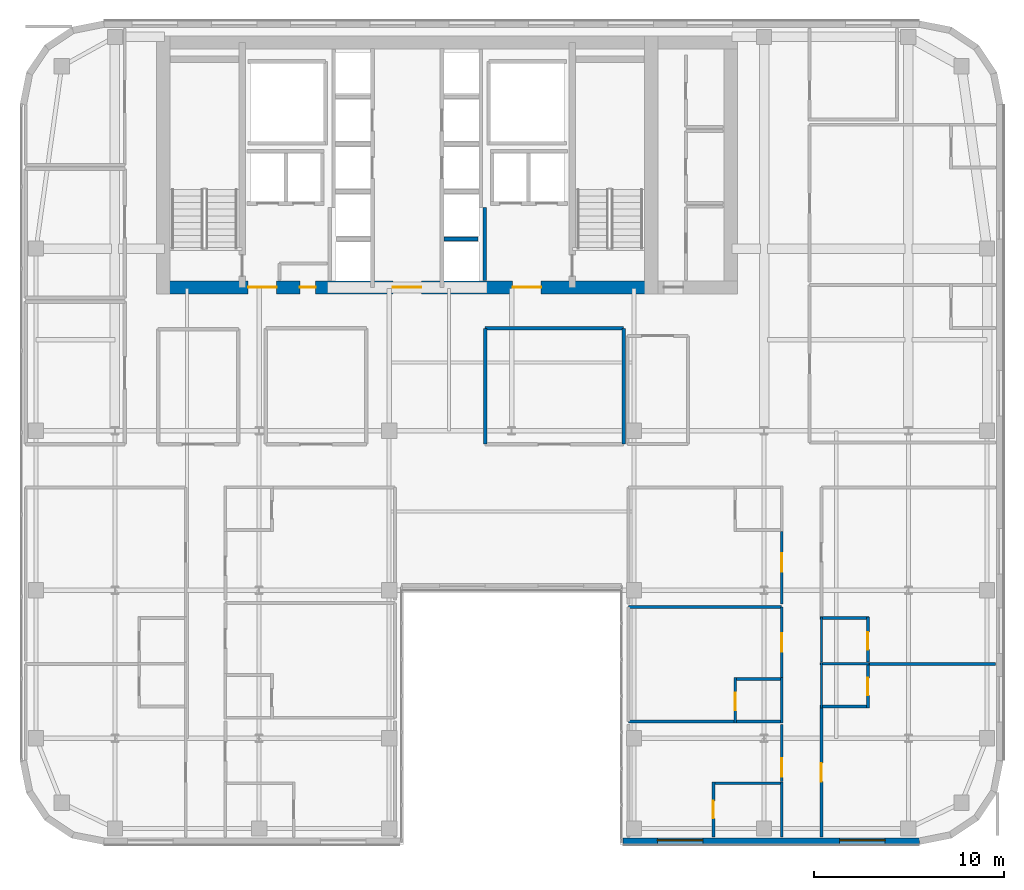
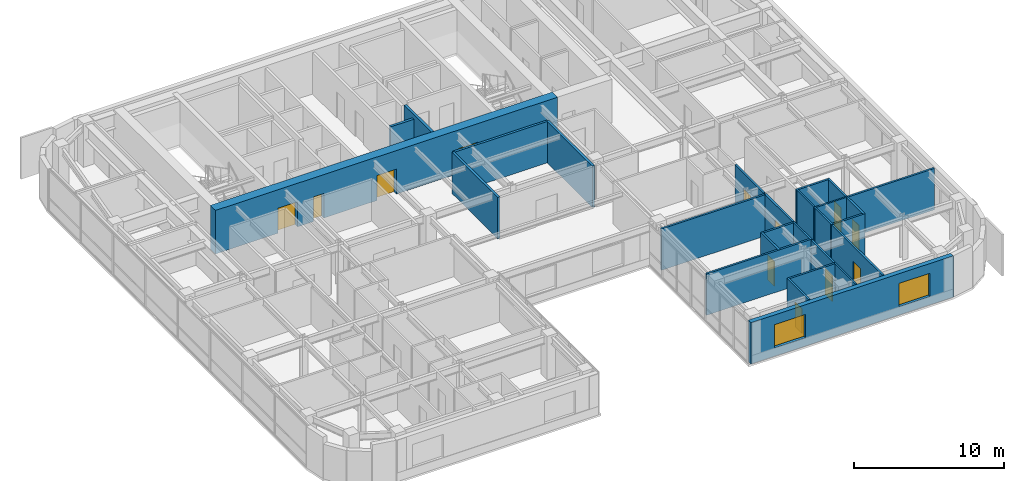
# One storey, part 19 of 28: 27 walls, 12 doors, 2 windows, 14 openings.
"""IFC4 building model written with IfcOpenShell, lengths in metres."""

from ifc_helpers import new_model, si_unit, direction, frame, frame_2d, origin, place, context, subcontext, project, spatial, rectangle, extrude, source, transform, mapped, material, layer, layer_set, type_object, type_shapes, element, fill, save


model = new_model("IFC4")

# Units and contexts
model_context = context("Model", 3, precision=1e-05, world=origin(), true_north=direction((0.0, 1.0)))
body_context = subcontext(model_context, "Body", "Model", "MODEL_VIEW")
ifc_project = project(units=[si_unit("LENGTHUNIT", "METRE"), si_unit("AREAUNIT", "SQUARE_METRE"), si_unit("VOLUMEUNIT", "CUBIC_METRE"), si_unit("PLANEANGLEUNIT", "RADIAN"), si_unit("MASSUNIT", "GRAM", prefix="KILO")], contexts=[model_context])

# Site, building, storey
site_placement = place(None, origin())
site = spatial("IfcSite", under=ifc_project, at=site_placement, CompositionType="ELEMENT")
building_placement = place(site_placement, origin())
building = spatial("IfcBuilding", under=site, at=building_placement, Name="Tolvann Quenvar Hotel", CompositionType="ELEMENT")
storey_placement = place(building_placement, frame((0.0, 0.0, 198.199951171875)))
storey = spatial("IfcBuildingStorey", under=building, at=storey_placement, Name="L52", CompositionType="ELEMENT", Elevation=198.199951171875)

# Wall, openings, doors
ifc_material_1 = material(Name="Concrete S65 (65 MPa)", Category="concrete")
ifc_layer_1 = layer(ifc_material_1, 0.699951171875)
ifc_layer_set_1 = layer_set([ifc_layer_1], Name="Concrete S65 (65 MPa)")
wall_type_1 = type_object("IfcWallType", Name="WALL_CORE_700", PredefinedType="SHEAR", material=ifc_layer_set_1)
wall_1_placement = place(storey_placement, frame((9.800048828125, 31.949951171875, 0.0), z_axis=(0.0, 0.0, 1.0), x_axis=(1.0, 0.0, 0.0)))
wall_1 = element("IfcWall", 1, at=wall_1_placement, inside=storey, type_object=wall_type_1, Name="Rear Core S Shear Wall (L52)", PredefinedType="SHEAR", context=body_context, shape_type="SweptSolid", body=[
    extrude(rectangle(XDim=26.39990234375, YDim=0.699951171875, at=frame_2d((13.199951171875, 0.0))), origin(), (0.0, 0.0, 1.0), 3.550048828125),
])
opening_1_placement = place(wall_1_placement, frame((6.320068359375, 0.0, 0.0), z_axis=(0.0, 0.0, 1.0), x_axis=(-1.0, 0.0, 0.0)))
opening_1 = element("IfcOpeningElement", 2, at=opening_1_placement, cuts=wall_1, Name="Opening FD-60D", PredefinedType="OPENING", context=body_context, shape_type="SweptSolid", body=[
    extrude(rectangle(XDim=1.5, YDim=2.0400390625, at=frame_2d((0.75, 1.02001953125))), frame((0.0, 0.35986328125, 0.0), z_axis=(0.0, -1.0, 0.0), x_axis=(1.0, 0.0, 0.0)), (0.0, 0.0, 1.0), 0.719970703125),
])
opening_2_placement = place(wall_1_placement, frame((13.949951171875, 0.0, 0.0), z_axis=(0.0, 0.0, 1.0), x_axis=(-1.0, 0.0, 0.0)))
opening_2 = element("IfcOpeningElement", 3, at=opening_2_placement, cuts=wall_1, Name="Opening FD-60D", PredefinedType="OPENING", context=body_context, shape_type="SweptSolid", body=[
    extrude(rectangle(XDim=1.5, YDim=2.0400390625, at=frame_2d((0.75, 1.02001953125))), frame((0.0, 0.35986328125, 0.0), z_axis=(0.0, -1.0, 0.0), x_axis=(1.0, 0.0, 0.0)), (0.0, 0.0, 1.0), 0.719970703125),
])
opening_3_placement = place(wall_1_placement, frame((20.25, 0.0, 0.0), z_axis=(0.0, 0.0, 1.0), x_axis=(-1.0, 0.0, 0.0)))
opening_3 = element("IfcOpeningElement", 4, at=opening_3_placement, cuts=wall_1, Name="Opening FD-60D", PredefinedType="OPENING", context=body_context, shape_type="SweptSolid", body=[
    extrude(rectangle(XDim=1.5, YDim=2.0400390625, at=frame_2d((0.75, 1.02001953125))), frame((0.0, 0.35986328125, 0.0), z_axis=(0.0, -1.0, 0.0), x_axis=(1.0, 0.0, 0.0)), (0.0, 0.0, 1.0), 0.719970703125),
])
opening_4_placement = place(wall_1_placement, frame((8.3701171875, 0.0, 0.0), z_axis=(0.0, 0.0, 1.0), x_axis=(-1.0, 0.0, 0.0)))
opening_4 = element("IfcOpeningElement", 5, at=opening_4_placement, cuts=wall_1, Name="Opening HD-02", PredefinedType="OPENING", context=body_context, shape_type="SweptSolid", body=[
    extrude(rectangle(XDim=0.820068359375, YDim=2.010009765625, at=frame_2d((0.41015625, 1.0048828125))), frame((0.0, 0.35986328125, 0.0), z_axis=(0.0, -1.0, 0.0), x_axis=(1.0, 0.0, 0.0)), (0.0, 0.0, 1.0), 0.719970703125),
])
ifc_material_2 = material(Name="Solid-core American oak acoustic fire door leaf in steel frame", Category="steel")
door_type_1 = type_object("IfcDoorType", Name="DOOR_FIRE_LOBBY_1500", OperationType="NOTDEFINED", PredefinedType="DOOR", material=ifc_material_2)
shared_shape_1 = source(origin(), body_context, "Body", "SweptSolid", [
    extrude(rectangle(XDim=1.5, YDim=2.0400390625, at=frame_2d((0.75, 1.02001953125))), frame((0.0, 0.02490234375, 0.0), z_axis=(0.0, -1.0, 0.0), x_axis=(1.0, 0.0, 0.0)), (0.0, 0.0, 1.0), 0.050048828125),
])
type_shapes(door_type_1, [shared_shape_1])
door_1_placement = place(opening_1_placement, origin())
door_1 = element("IfcDoor", 6, at=door_1_placement, inside=storey, type_object=door_type_1, Name="Core Lobby Fire Door FFW (L52)", OperationType="DOUBLE_DOOR_SINGLE_SWING", OverallHeight=2.0400390625, OverallWidth=1.5, PredefinedType="DOOR", context=body_context, shape_type="MappedRepresentation", body=[
    mapped(shared_shape_1, transform((0.0, 0.0, 0.0), x_axis=(1.0, 0.0, 0.0), y_axis=(0.0, 1.0, 0.0), z_axis=(0.0, 0.0, 1.0), scale=1.0)),
])
fill(opening_1, door_1)
door_2_placement = place(opening_2_placement, origin())
door_2 = element("IfcDoor", 7, at=door_2_placement, inside=storey, type_object=door_type_1, Name="Core Lobby Fire Door CLOB (L52)", OperationType="DOUBLE_DOOR_SINGLE_SWING", OverallHeight=2.0400390625, OverallWidth=1.5, PredefinedType="DOOR", context=body_context, shape_type="MappedRepresentation", body=[
    mapped(shared_shape_1, transform((0.0, 0.0, 0.0), x_axis=(1.0, 0.0, 0.0), y_axis=(0.0, 1.0, 0.0), z_axis=(0.0, 0.0, 1.0), scale=1.0)),
])
fill(opening_2, door_2)
door_3_placement = place(opening_3_placement, origin())
door_3 = element("IfcDoor", 8, at=door_3_placement, inside=storey, type_object=door_type_1, Name="Core Lobby Fire Door FFE (L52)", OperationType="DOUBLE_DOOR_SINGLE_SWING", OverallHeight=2.0400390625, OverallWidth=1.5, PredefinedType="DOOR", context=body_context, shape_type="MappedRepresentation", body=[
    mapped(shared_shape_1, transform((0.0, 0.0, 0.0), x_axis=(1.0, 0.0, 0.0), y_axis=(0.0, 1.0, 0.0), z_axis=(0.0, 0.0, 1.0), scale=1.0)),
])
fill(opening_3, door_3)
ifc_material_3 = material(Name="Pressed galvanised steel fire-rated door set", Category="steel")
door_type_2 = type_object("IfcDoorType", Name="DOOR_STORE_820", OperationType="NOTDEFINED", PredefinedType="DOOR", material=ifc_material_3)
shared_shape_2 = source(origin(), body_context, "Body", "SweptSolid", [
    extrude(rectangle(XDim=0.820068359375, YDim=2.010009765625, at=frame_2d((0.41015625, 1.0048828125))), frame((0.0, 0.02490234375, 0.0), z_axis=(0.0, -1.0, 0.0), x_axis=(1.0, 0.0, 0.0)), (0.0, 0.0, 1.0), 0.050048828125),
])
type_shapes(door_type_2, [shared_shape_2])
door_4_placement = place(opening_4_placement, origin())
door_4 = element("IfcDoor", 9, at=door_4_placement, inside=storey, type_object=door_type_2, Name="Core Linen Store Fire Door (L52)", OperationType="SINGLE_SWING_RIGHT", OverallHeight=2.010009765625, OverallWidth=0.820068359375, PredefinedType="DOOR", context=body_context, shape_type="MappedRepresentation", body=[
    mapped(shared_shape_2, transform((0.0, 0.0, 0.0), x_axis=(1.0, 0.0, 0.0), y_axis=(0.0, 1.0, 0.0), z_axis=(0.0, 0.0, 1.0), scale=1.0)),
])
fill(opening_4, door_4)

# Wall, openings, windows
ifc_material_4 = material(Name="Kiln-fired red and buff architectural clay brickwork and terracotta masonry", Category="masonry")
ifc_layer_2 = layer(ifc_material_4, 0.35009765625)
ifc_layer_set_2 = layer_set([ifc_layer_2], Name="Kiln-fired red and buff architectural clay brickwork and terracotta masonry")
wall_type_2 = type_object("IfcWallType", Name="WALL_EXT_BRICK_350", PredefinedType="SOLIDWALL", material=ifc_layer_set_2)
wall_2_placement = place(storey_placement, frame((34.375, 2.77490234375, 0.0), z_axis=(0.0, 0.0, 1.0), x_axis=(1.0, 0.0, 0.0)))
wall_2 = element("IfcWall", 10, at=wall_2_placement, inside=storey, type_object=wall_type_2, Name="Exterior Chicago Brick Wall L52-E08", PredefinedType="SOLIDWALL", context=body_context, shape_type="SweptSolid", body=[
    extrude(rectangle(XDim=15.60791015625, YDim=0.35009765625, at=frame_2d((7.803955078125, 0.0))), origin(), (0.0, 0.0, 1.0), 3.3701171875),
])
opening_5_placement = place(wall_2_placement, frame((1.801025390625, 0.0, 0.679931640625)))
opening_5 = element("IfcOpeningElement", 11, at=opening_5_placement, cuts=wall_2, Name="Opening W-01", PredefinedType="OPENING", context=body_context, shape_type="SweptSolid", body=[
    extrude(rectangle(XDim=2.39990234375, YDim=1.89990234375, at=frame_2d((1.199951171875, 0.949951171875))), frame((0.0, 0.18505859375, 0.0), z_axis=(0.0, -1.0, 0.0), x_axis=(1.0, 0.0, 0.0)), (0.0, 0.0, 1.0), 0.3701171875),
])
opening_6_placement = place(wall_2_placement, frame((11.406005859375, 0.0, 0.679931640625)))
opening_6 = element("IfcOpeningElement", 12, at=opening_6_placement, cuts=wall_2, Name="Opening W-01", PredefinedType="OPENING", context=body_context, shape_type="SweptSolid", body=[
    extrude(rectangle(XDim=2.39990234375, YDim=1.89990234375, at=frame_2d((1.199951171875, 0.949951171875))), frame((0.0, 0.18505859375, 0.0), z_axis=(0.0, -1.0, 0.0), x_axis=(1.0, 0.0, 0.0)), (0.0, 0.0, 1.0), 0.3701171875),
])
ifc_material_5 = material(Name="Thermally broken bronze-anodised aluminium frame with double low-E glazing", Category="aluminium")
window_type = type_object("IfcWindowType", Name="WIN_CHI_2400x2050", PartitioningType="TRIPLE_PANEL_HORIZONTAL", PredefinedType="WINDOW", material=ifc_material_5)
shared_shape_3 = source(origin(), body_context, "Body", "SweptSolid", [
    extrude(rectangle(XDim=2.39990234375, YDim=1.89990234375, at=frame_2d((1.199951171875, 0.949951171875))), frame((0.0, 0.090087890625, 0.0), z_axis=(0.0, -1.0, 0.0), x_axis=(1.0, 0.0, 0.0)), (0.0, 0.0, 1.0), 0.06005859375),
])
type_shapes(window_type, [shared_shape_3])
window_1_placement = place(opening_5_placement, origin())
window_1 = element("IfcWindow", 13, at=window_1_placement, inside=storey, type_object=window_type, Name="Chicago Window W-01 (EW-L52-E08-W01)", OverallHeight=1.89990234375, OverallWidth=2.39990234375, PartitioningType="TRIPLE_PANEL_HORIZONTAL", PredefinedType="WINDOW", context=body_context, shape_type="MappedRepresentation", body=[
    mapped(shared_shape_3, transform((0.0, 0.0, 0.0), x_axis=(1.0, 0.0, 0.0), y_axis=(0.0, 1.0, 0.0), z_axis=(0.0, 0.0, 1.0), scale=1.0)),
])
fill(opening_5, window_1)
window_2_placement = place(opening_6_placement, origin())
window_2 = element("IfcWindow", 14, at=window_2_placement, inside=storey, type_object=window_type, Name="Chicago Window W-01 (EW-L52-E08-W02)", OverallHeight=1.89990234375, OverallWidth=2.39990234375, PartitioningType="TRIPLE_PANEL_HORIZONTAL", PredefinedType="WINDOW", context=body_context, shape_type="MappedRepresentation", body=[
    mapped(shared_shape_3, transform((0.0, 0.0, 0.0), x_axis=(1.0, 0.0, 0.0), y_axis=(0.0, 1.0, 0.0), z_axis=(0.0, 0.0, 1.0), scale=1.0)),
])
fill(opening_6, window_2)

# Walls
ifc_material_6 = material(Name="Acoustic twin-stud fire-rated gypsum plasterboard partition")
ifc_layer_3 = layer(ifc_material_6, 0.179931640625)
ifc_layer_set_3 = layer_set([ifc_layer_3], Name="Acoustic twin-stud fire-rated gypsum plasterboard partition")
wall_type_3 = type_object("IfcWallType", Name="WALL_PART_ACOUSTIC_180", PredefinedType="PARTITIONING", material=ifc_layer_set_3)
wall_3_placement = place(storey_placement, frame((27.10009765625, 29.800048828125, 0.0), z_axis=(0.0, 0.0, 1.0), x_axis=(1.0, 0.0, 0.0)))
element("IfcWall", 15, at=wall_3_placement, inside=storey, type_object=wall_type_3, Name="Interior Partition PT-SPC-L52-MSP-C-N", PredefinedType="PARTITIONING", context=body_context, shape_type="SweptSolid", body=[
    extrude(rectangle(XDim=7.2998046875, YDim=0.179931640625, at=frame_2d((3.64990234375, 0.0))), origin(), (0.0, 0.0, 1.0), 3.3701171875),
])
for number, where, z_axis, x_axis, name in (
    (16, (27.10009765625, 23.699951171875, 0.0), (0.0, 0.0, 1.0), (0.0, 1.0, 0.0), "Interior Partition PT-SPC-L52-MSP-C-W"),
    (17, (34.39990234375, 23.699951171875, 0.0), (0.0, 0.0, 1.0), (0.0, 1.0, 0.0), "Interior Partition PT-SPC-L52-MSP-C-E"),
):
    element("IfcWall", number, at=place(storey_placement, frame(where, z_axis=z_axis, x_axis=x_axis)), inside=storey, type_object=wall_type_3, Name=name, PredefinedType="PARTITIONING", context=body_context, shape_type="SweptSolid", body=[
        extrude(rectangle(XDim=6.10009765625, YDim=0.179931640625, at=frame_2d((3.050048828125, 0.0))), origin(), (0.0, 0.0, 1.0), 3.3701171875),
    ])
ifc_material_7 = material(Name="Moisture-resistant acoustic plumbing wall assembly")
ifc_layer_4 = layer(ifc_material_7, 0.1201171875)
ifc_layer_set_4 = layer_set([ifc_layer_4], Name="Moisture-resistant acoustic plumbing wall assembly")
wall_type_4 = type_object("IfcWallType", Name="WALL_PART_BATH_120", PredefinedType="PLUMBINGWALL", material=ifc_layer_set_4)
wall_4_placement = place(storey_placement, frame((42.72998046875, 3.0048828125, 0.0), z_axis=(0.0, 0.0, 1.0), x_axis=(0.0, 1.0, 0.0)))
element("IfcWall", 18, at=wall_4_placement, inside=storey, type_object=wall_type_4, Name="Non-Rated Plumbing Partition PT-SPC-L52-ENS-EI01-E", PredefinedType="PLUMBINGWALL", context=body_context, shape_type="SweptSolid", body=[
    extrude(rectangle(XDim=2.89501953125, YDim=0.1201171875, at=frame_2d((1.447509765625, 0.0))), origin(), (0.0, 0.0, 1.0), 3.3701171875),
])
wall_5_placement = place(storey_placement, frame((42.72998046875, 9.010009765625, 0.0), z_axis=(0.0, 0.0, 1.0), x_axis=(0.0, 1.0, 0.0)))
element("IfcWall", 19, at=wall_5_placement, inside=storey, type_object=wall_type_4, Name="Non-Rated Plumbing Partition PT-SPC-L52-ENS-EI02-E", PredefinedType="PLUMBINGWALL", context=body_context, shape_type="SweptSolid", body=[
    extrude(rectangle(XDim=2.389892578125, YDim=0.1201171875, at=frame_2d((1.19482421875, 0.0))), origin(), (0.0, 0.0, 1.0), 3.3701171875),
])
wall_6_placement = place(storey_placement, frame((44.75, 12.1201171875, 0.0), z_axis=(0.0, 0.0, 1.0), x_axis=(1.0, 0.0, 0.0)))
element("IfcWall", 20, at=wall_6_placement, inside=storey, type_object=wall_type_4, Name="Non-Rated Plumbing Partition PT-SPC-L52-ENS-EO01-N", PredefinedType="PLUMBINGWALL", context=body_context, shape_type="SweptSolid", body=[
    extrude(rectangle(XDim=2.590087890625, YDim=0.1201171875, at=frame_2d((1.294921875, 0.0))), origin(), (0.0, 0.0, 1.0), 3.3701171875),
])
wall_7_placement = place(storey_placement, frame((44.820068359375, 9.800048828125, 0.0), z_axis=(0.0, 0.0, 1.0), x_axis=(0.0, 1.0, 0.0)))
element("IfcWall", 21, at=wall_7_placement, inside=storey, type_object=wall_type_4, Name="Non-Rated Plumbing Partition PT-SPC-L52-ENS-EO01-W", PredefinedType="PLUMBINGWALL", context=body_context, shape_type="SweptSolid", body=[
    extrude(rectangle(XDim=2.389892578125, YDim=0.1201171875, at=frame_2d((1.19482421875, 0.0))), origin(), (0.0, 0.0, 1.0), 3.3701171875),
])
wall_8_placement = place(storey_placement, frame((44.820068359375, 12.2099609375, 0.0), z_axis=(0.0, 0.0, 1.0), x_axis=(0.0, 1.0, 0.0)))
element("IfcWall", 22, at=wall_8_placement, inside=storey, type_object=wall_type_4, Name="Non-Rated Plumbing Partition PT-SPC-L52-ENS-EO02-W", PredefinedType="PLUMBINGWALL", context=body_context, shape_type="SweptSolid", body=[
    extrude(rectangle(XDim=2.39013671875, YDim=0.1201171875, at=frame_2d((1.195068359375, 0.0))), origin(), (0.0, 0.0, 1.0), 3.3701171875),
])

# Wall, opening, door
ifc_layer_5 = layer(ifc_material_6, 0.14990234375)
ifc_layer_set_5 = layer_set([ifc_layer_5], Name="Acoustic twin-stud fire-rated gypsum plasterboard partition")
wall_type_5 = type_object("IfcWallType", Name="WALL_PART_SUITE_150", PredefinedType="PARTITIONING", material=ifc_layer_set_5)
wall_9_placement = place(storey_placement, frame((39.1298828125, 3.0048828125, 0.0), z_axis=(0.0, 0.0, 1.0), x_axis=(0.0, 1.0, 0.0)))
wall_9 = element("IfcWall", 23, at=wall_9_placement, inside=storey, type_object=wall_type_5, Name="Interior Partition PT-SPC-L52-ENS-EI01-ENT", PredefinedType="PARTITIONING", context=body_context, shape_type="SweptSolid", body=[
    extrude(rectangle(XDim=2.89501953125, YDim=0.14990234375, at=frame_2d((1.447509765625, 0.0))), origin(), (0.0, 0.0, 1.0), 3.3701171875),
])
opening_7_placement = place(wall_9_placement, frame((0.97998046875, 0.0, 0.0)))
opening_7 = element("IfcOpeningElement", 24, at=opening_7_placement, cuts=wall_9, Name="Opening WD-01", PredefinedType="OPENING", context=body_context, shape_type="SweptSolid", body=[
    extrude(rectangle(XDim=0.919921875, YDim=2.010009765625, at=frame_2d((0.4599609375, 1.0048828125))), frame((0.0, 0.0849609375, 0.0), z_axis=(0.0, -1.0, 0.0), x_axis=(1.0, 0.0, 0.0)), (0.0, 0.0, 1.0), 0.169921875),
])
door_type_3 = type_object("IfcDoorType", Name="DOOR_WC_920", OperationType="NOTDEFINED", PredefinedType="DOOR", material=ifc_material_2)
shared_shape_4 = source(origin(), body_context, "Body", "SweptSolid", [
    extrude(rectangle(XDim=0.919921875, YDim=2.010009765625, at=frame_2d((0.4599609375, 1.0048828125))), frame((0.0, 0.02490234375, 0.0), z_axis=(0.0, -1.0, 0.0), x_axis=(1.0, 0.0, 0.0)), (0.0, 0.0, 1.0), 0.050048828125),
])
type_shapes(door_type_3, [shared_shape_4])
door_5_placement = place(opening_7_placement, origin())
door_5 = element("IfcDoor", 25, at=door_5_placement, inside=storey, type_object=door_type_3, Name="Interior Door DOOR-SPC-L52-ENS-EI01", OperationType="SINGLE_SWING_RIGHT", OverallHeight=2.010009765625, OverallWidth=0.919921875, PredefinedType="DOOR", context=body_context, shape_type="MappedRepresentation", body=[
    mapped(shared_shape_4, transform((0.0, 0.0, 0.0), x_axis=(1.0, 0.0, 0.0), y_axis=(0.0, 1.0, 0.0), z_axis=(0.0, 0.0, 1.0), scale=1.0)),
])
fill(opening_7, door_5)

# Wall
wall_10_placement = place(storey_placement, frame((39.06005859375, 5.830078125, 0.0), z_axis=(0.0, 0.0, 1.0), x_axis=(1.0, 0.0, 0.0)))
element("IfcWall", 26, at=wall_10_placement, inside=storey, type_object=wall_type_5, Name="Interior Partition PT-SPC-L52-ENS-EI01-N", PredefinedType="PARTITIONING", context=body_context, shape_type="SweptSolid", body=[
    extrude(rectangle(XDim=3.739990234375, YDim=0.14990234375, at=frame_2d((1.8701171875, 0.0))), origin(), (0.0, 0.0, 1.0), 3.3701171875),
])

# Wall, opening, door
wall_11_placement = place(storey_placement, frame((40.280029296875, 9.010009765625, 0.0), z_axis=(0.0, 0.0, 1.0), x_axis=(0.0, 1.0, 0.0)))
wall_11 = element("IfcWall", 27, at=wall_11_placement, inside=storey, type_object=wall_type_5, Name="Interior Partition PT-SPC-L52-ENS-EI02-ENT", PredefinedType="PARTITIONING", context=body_context, shape_type="SweptSolid", body=[
    extrude(rectangle(XDim=2.389892578125, YDim=0.14990234375, at=frame_2d((1.19482421875, 0.0))), origin(), (0.0, 0.0, 1.0), 3.3701171875),
])
opening_8_placement = place(wall_11_placement, frame((0.6650390625, 0.0, 0.0)))
opening_8 = element("IfcOpeningElement", 28, at=opening_8_placement, cuts=wall_11, Name="Opening WD-01", PredefinedType="OPENING", context=body_context, shape_type="SweptSolid", body=[
    extrude(rectangle(XDim=0.919921875, YDim=2.010009765625, at=frame_2d((0.4599609375, 1.0048828125))), frame((0.0, 0.0849609375, 0.0), z_axis=(0.0, -1.0, 0.0), x_axis=(1.0, 0.0, 0.0)), (0.0, 0.0, 1.0), 0.169921875),
])
door_6_placement = place(opening_8_placement, origin())
door_6 = element("IfcDoor", 29, at=door_6_placement, inside=storey, type_object=door_type_3, Name="Interior Door DOOR-SPC-L52-ENS-EI02", OperationType="SINGLE_SWING_LEFT", OverallHeight=2.010009765625, OverallWidth=0.919921875, PredefinedType="DOOR", context=body_context, shape_type="MappedRepresentation", body=[
    mapped(shared_shape_4, transform((0.0, 0.0, 0.0), x_axis=(1.0, 0.0, 0.0), y_axis=(0.0, 1.0, 0.0), z_axis=(0.0, 0.0, 1.0), scale=1.0)),
])
fill(opening_8, door_6)

# Walls
wall_12_placement = place(storey_placement, frame((34.64990234375, 9.080078125, 0.0), z_axis=(0.0, 0.0, 1.0), x_axis=(1.0, 0.0, 0.0)))
element("IfcWall", 30, at=wall_12_placement, inside=storey, type_object=wall_type_5, Name="Interior Partition PT-SPC-L52-ENS-EI02-S", PredefinedType="PARTITIONING", context=body_context, shape_type="SweptSolid", body=[
    extrude(rectangle(XDim=8.150146484375, YDim=0.14990234375, at=frame_2d((4.0751953125, 0.0))), origin(), (0.0, 0.0, 1.0), 3.3701171875),
])
wall_13_placement = place(storey_placement, frame((40.2099609375, 11.330078125, 0.0), z_axis=(0.0, 0.0, 1.0), x_axis=(1.0, 0.0, 0.0)))
element("IfcWall", 31, at=wall_13_placement, inside=storey, type_object=wall_type_5, Name="Interior Partition PT-SPC-L52-ENS-EI02-N", PredefinedType="PARTITIONING", context=body_context, shape_type="SweptSolid", body=[
    extrude(rectangle(XDim=2.590087890625, YDim=0.14990234375, at=frame_2d((1.294921875, 0.0))), origin(), (0.0, 0.0, 1.0), 3.3701171875),
])

# Wall, opening, door
wall_14_placement = place(storey_placement, frame((47.27001953125, 9.800048828125, 0.0), z_axis=(0.0, 0.0, 1.0), x_axis=(0.0, 1.0, 0.0)))
wall_14 = element("IfcWall", 32, at=wall_14_placement, inside=storey, type_object=wall_type_5, Name="Interior Partition PT-SPC-L52-ENS-EO01-ENT", PredefinedType="PARTITIONING", context=body_context, shape_type="SweptSolid", body=[
    extrude(rectangle(XDim=2.389892578125, YDim=0.14990234375, at=frame_2d((1.19482421875, 0.0))), origin(), (0.0, 0.0, 1.0), 3.3701171875),
])
opening_9_placement = place(wall_14_placement, frame((0.6650390625, 0.0, 0.0)))
opening_9 = element("IfcOpeningElement", 33, at=opening_9_placement, cuts=wall_14, Name="Opening WD-01", PredefinedType="OPENING", context=body_context, shape_type="SweptSolid", body=[
    extrude(rectangle(XDim=0.919921875, YDim=2.010009765625, at=frame_2d((0.4599609375, 1.0048828125))), frame((0.0, 0.0849609375, 0.0), z_axis=(0.0, -1.0, 0.0), x_axis=(1.0, 0.0, 0.0)), (0.0, 0.0, 1.0), 0.169921875),
])
door_7_placement = place(opening_9_placement, origin())
door_7 = element("IfcDoor", 34, at=door_7_placement, inside=storey, type_object=door_type_3, Name="Interior Door DOOR-SPC-L52-ENS-EO01", OperationType="SINGLE_SWING_LEFT", OverallHeight=2.010009765625, OverallWidth=0.919921875, PredefinedType="DOOR", context=body_context, shape_type="MappedRepresentation", body=[
    mapped(shared_shape_4, transform((0.0, 0.0, 0.0), x_axis=(1.0, 0.0, 0.0), y_axis=(0.0, 1.0, 0.0), z_axis=(0.0, 0.0, 1.0), scale=1.0)),
])
fill(opening_9, door_7)

# Wall
wall_15_placement = place(storey_placement, frame((44.75, 9.8701171875, 0.0), z_axis=(0.0, 0.0, 1.0), x_axis=(1.0, 0.0, 0.0)))
element("IfcWall", 35, at=wall_15_placement, inside=storey, type_object=wall_type_5, Name="Interior Partition PT-SPC-L52-ENS-EO01-S", PredefinedType="PARTITIONING", context=body_context, shape_type="SweptSolid", body=[
    extrude(rectangle(XDim=2.590087890625, YDim=0.14990234375, at=frame_2d((1.294921875, 0.0))), origin(), (0.0, 0.0, 1.0), 3.3701171875),
])

# Wall, opening, door
wall_16_placement = place(storey_placement, frame((47.27001953125, 12.2099609375, 0.0), z_axis=(0.0, 0.0, 1.0), x_axis=(0.0, 1.0, 0.0)))
wall_16 = element("IfcWall", 36, at=wall_16_placement, inside=storey, type_object=wall_type_5, Name="Interior Partition PT-SPC-L52-ENS-EO02-ENT", PredefinedType="PARTITIONING", context=body_context, shape_type="SweptSolid", body=[
    extrude(rectangle(XDim=2.39013671875, YDim=0.14990234375, at=frame_2d((1.195068359375, 0.0))), origin(), (0.0, 0.0, 1.0), 3.3701171875),
])
opening_10_placement = place(wall_16_placement, frame((0.6650390625, 0.0, 0.0)))
opening_10 = element("IfcOpeningElement", 37, at=opening_10_placement, cuts=wall_16, Name="Opening WD-01", PredefinedType="OPENING", context=body_context, shape_type="SweptSolid", body=[
    extrude(rectangle(XDim=0.919921875, YDim=2.010009765625, at=frame_2d((0.4599609375, 1.0048828125))), frame((0.0, 0.0849609375, 0.0), z_axis=(0.0, -1.0, 0.0), x_axis=(1.0, 0.0, 0.0)), (0.0, 0.0, 1.0), 0.169921875),
])
door_8_placement = place(opening_10_placement, origin())
door_8 = element("IfcDoor", 38, at=door_8_placement, inside=storey, type_object=door_type_3, Name="Interior Door DOOR-SPC-L52-ENS-EO02", OperationType="SINGLE_SWING_RIGHT", OverallHeight=2.010009765625, OverallWidth=0.919921875, PredefinedType="DOOR", context=body_context, shape_type="MappedRepresentation", body=[
    mapped(shared_shape_4, transform((0.0, 0.0, 0.0), x_axis=(1.0, 0.0, 0.0), y_axis=(0.0, 1.0, 0.0), z_axis=(0.0, 0.0, 1.0), scale=1.0)),
])
fill(opening_10, door_8)

# Wall
wall_17_placement = place(storey_placement, frame((44.75, 14.530029296875, 0.0), z_axis=(0.0, 0.0, 1.0), x_axis=(1.0, 0.0, 0.0)))
element("IfcWall", 39, at=wall_17_placement, inside=storey, type_object=wall_type_5, Name="Interior Partition PT-SPC-L52-ENS-EO02-N", PredefinedType="PARTITIONING", context=body_context, shape_type="SweptSolid", body=[
    extrude(rectangle(XDim=2.590087890625, YDim=0.14990234375, at=frame_2d((1.294921875, 0.0))), origin(), (0.0, 0.0, 1.0), 3.3701171875),
])

# Wall, opening, door
wall_18_placement = place(storey_placement, frame((42.72998046875, 5.909912109375, 0.0), z_axis=(0.0, 0.0, 1.0), x_axis=(0.0, 1.0, 0.0)))
wall_18 = element("IfcWall", 40, at=wall_18_placement, inside=storey, type_object=wall_type_5, Name="Interior Partition PT-SPC-L52-RM-EI01-ENT", PredefinedType="PARTITIONING", context=body_context, shape_type="SweptSolid", body=[
    extrude(rectangle(XDim=3.010009765625, YDim=0.14990234375, at=frame_2d((1.5048828125, 0.0))), origin(), (0.0, 0.0, 1.0), 3.3701171875),
])
opening_11_placement = place(wall_18_placement, frame((0.27001953125, 0.0, 0.0)))
opening_11 = element("IfcOpeningElement", 41, at=opening_11_placement, cuts=wall_18, Name="Opening SD-01", PredefinedType="OPENING", context=body_context, shape_type="SweptSolid", body=[
    extrude(rectangle(XDim=0.97998046875, YDim=2.1201171875, at=frame_2d((0.489990234375, 1.06005859375))), frame((0.0, 0.0849609375, 0.0), z_axis=(0.0, -1.0, 0.0), x_axis=(1.0, 0.0, 0.0)), (0.0, 0.0, 1.0), 0.169921875),
])
door_type_4 = type_object("IfcDoorType", Name="DOOR_SUITE_980", OperationType="NOTDEFINED", PredefinedType="DOOR", material=ifc_material_2)
shared_shape_5 = source(origin(), body_context, "Body", "SweptSolid", [
    extrude(rectangle(XDim=0.97998046875, YDim=2.1201171875, at=frame_2d((0.489990234375, 1.06005859375))), frame((0.0, 0.02490234375, 0.0), z_axis=(0.0, -1.0, 0.0), x_axis=(1.0, 0.0, 0.0)), (0.0, 0.0, 1.0), 0.050048828125),
])
type_shapes(door_type_4, [shared_shape_5])
door_9_placement = place(opening_11_placement, origin())
door_9 = element("IfcDoor", 42, at=door_9_placement, inside=storey, type_object=door_type_4, Name="Interior Door DOOR-SPC-L52-RM-EI01", OperationType="SINGLE_SWING_LEFT", OverallHeight=2.1201171875, OverallWidth=0.97998046875, PredefinedType="DOOR", context=body_context, shape_type="MappedRepresentation", body=[
    mapped(shared_shape_5, transform((0.0, 0.0, 0.0), x_axis=(1.0, 0.0, 0.0), y_axis=(0.0, 1.0, 0.0), z_axis=(0.0, 0.0, 1.0), scale=1.0)),
])
fill(opening_11, door_9)

wall_19_placement = place(storey_placement, frame((42.72998046875, 11.409912109375, 0.0), z_axis=(0.0, 0.0, 1.0), x_axis=(0.0, 1.0, 0.0)))
wall_19 = element("IfcWall", 43, at=wall_19_placement, inside=storey, type_object=wall_type_5, Name="Interior Partition PT-SPC-L52-RM-EI02-ENT", PredefinedType="PARTITIONING", context=body_context, shape_type="SweptSolid", body=[
    extrude(rectangle(XDim=3.710205078125, YDim=0.14990234375, at=frame_2d((1.85498046875, 0.0))), origin(), (0.0, 0.0, 1.0), 3.3701171875),
])
opening_12_placement = place(wall_19_placement, frame((1.344970703125, 0.0, 0.0)))
opening_12 = element("IfcOpeningElement", 44, at=opening_12_placement, cuts=wall_19, Name="Opening SD-01", PredefinedType="OPENING", context=body_context, shape_type="SweptSolid", body=[
    extrude(rectangle(XDim=0.97998046875, YDim=2.1201171875, at=frame_2d((0.489990234375, 1.06005859375))), frame((0.0, 0.0849609375, 0.0), z_axis=(0.0, -1.0, 0.0), x_axis=(1.0, 0.0, 0.0)), (0.0, 0.0, 1.0), 0.169921875),
])
door_10_placement = place(opening_12_placement, origin())
door_10 = element("IfcDoor", 45, at=door_10_placement, inside=storey, type_object=door_type_4, Name="Interior Door DOOR-SPC-L52-RM-EI02", OperationType="SINGLE_SWING_RIGHT", OverallHeight=2.1201171875, OverallWidth=0.97998046875, PredefinedType="DOOR", context=body_context, shape_type="MappedRepresentation", body=[
    mapped(shared_shape_5, transform((0.0, 0.0, 0.0), x_axis=(1.0, 0.0, 0.0), y_axis=(0.0, 1.0, 0.0), z_axis=(0.0, 0.0, 1.0), scale=1.0)),
])
fill(opening_12, door_10)

# Wall
wall_20_placement = place(storey_placement, frame((34.64990234375, 15.1201171875, 0.0), z_axis=(0.0, 0.0, 1.0), x_axis=(1.0, 0.0, 0.0)))
element("IfcWall", 46, at=wall_20_placement, inside=storey, type_object=wall_type_5, Name="Interior Partition PT-SPC-L52-RM-EI02-E5", PredefinedType="PARTITIONING", context=body_context, shape_type="SweptSolid", body=[
    extrude(rectangle(XDim=8.080078125, YDim=0.14990234375, at=frame_2d((4.0400390625, 0.0))), origin(), (0.0, 0.0, 1.0), 3.3701171875),
])

# Wall, opening, door
wall_21_placement = place(storey_placement, frame((42.72998046875, 15.280029296875, 0.0), z_axis=(0.0, 0.0, 1.0), x_axis=(0.0, 1.0, 0.0)))
wall_21 = element("IfcWall", 47, at=wall_21_placement, inside=storey, type_object=wall_type_5, Name="Interior Partition PT-SPC-L52-RM-EI03-ENT", PredefinedType="PARTITIONING", context=body_context, shape_type="SweptSolid", body=[
    extrude(rectangle(XDim=3.81005859375, YDim=0.14990234375, at=frame_2d((1.905029296875, 0.0))), origin(), (0.0, 0.0, 1.0), 3.3701171875),
])
opening_13_placement = place(wall_21_placement, frame((1.695068359375, 0.0, 0.0)))
opening_13 = element("IfcOpeningElement", 48, at=opening_13_placement, cuts=wall_21, Name="Opening SD-01", PredefinedType="OPENING", context=body_context, shape_type="SweptSolid", body=[
    extrude(rectangle(XDim=0.97998046875, YDim=2.1201171875, at=frame_2d((0.489990234375, 1.06005859375))), frame((0.0, 0.0849609375, 0.0), z_axis=(0.0, -1.0, 0.0), x_axis=(1.0, 0.0, 0.0)), (0.0, 0.0, 1.0), 0.169921875),
])
door_11_placement = place(opening_13_placement, origin())
door_11 = element("IfcDoor", 49, at=door_11_placement, inside=storey, type_object=door_type_4, Name="Interior Door DOOR-SPC-L52-RM-EI03", OperationType="SINGLE_SWING_LEFT", OverallHeight=2.1201171875, OverallWidth=0.97998046875, PredefinedType="DOOR", context=body_context, shape_type="MappedRepresentation", body=[
    mapped(shared_shape_5, transform((0.0, 0.0, 0.0), x_axis=(1.0, 0.0, 0.0), y_axis=(0.0, 1.0, 0.0), z_axis=(0.0, 0.0, 1.0), scale=1.0)),
])
fill(opening_13, door_11)

wall_22_placement = place(storey_placement, frame((44.820068359375, 3.0048828125, 0.0), z_axis=(0.0, 0.0, 1.0), x_axis=(0.0, 1.0, 0.0)))
wall_22 = element("IfcWall", 50, at=wall_22_placement, inside=storey, type_object=wall_type_5, Name="Interior Partition PT-SPC-L52-RM-EO01-ENT", PredefinedType="PARTITIONING", context=body_context, shape_type="SweptSolid", body=[
    extrude(rectangle(XDim=6.78515625, YDim=0.14990234375, at=frame_2d((3.392578125, 0.0))), origin(), (0.0, 0.0, 1.0), 3.3701171875),
])
opening_14_placement = place(wall_22_placement, frame((2.909912109375, 0.0, 0.0)))
opening_14 = element("IfcOpeningElement", 51, at=opening_14_placement, cuts=wall_22, Name="Opening SD-01", PredefinedType="OPENING", context=body_context, shape_type="SweptSolid", body=[
    extrude(rectangle(XDim=0.97998046875, YDim=2.1201171875, at=frame_2d((0.489990234375, 1.06005859375))), frame((0.0, 0.0849609375, 0.0), z_axis=(0.0, -1.0, 0.0), x_axis=(1.0, 0.0, 0.0)), (0.0, 0.0, 1.0), 0.169921875),
])
door_12_placement = place(opening_14_placement, origin())
door_12 = element("IfcDoor", 52, at=door_12_placement, inside=storey, type_object=door_type_4, Name="Interior Door DOOR-SPC-L52-RM-EO01", OperationType="SINGLE_SWING_RIGHT", OverallHeight=2.1201171875, OverallWidth=0.97998046875, PredefinedType="DOOR", context=body_context, shape_type="MappedRepresentation", body=[
    mapped(shared_shape_5, transform((0.0, 0.0, 0.0), x_axis=(1.0, 0.0, 0.0), y_axis=(0.0, 1.0, 0.0), z_axis=(0.0, 0.0, 1.0), scale=1.0)),
])
fill(opening_14, door_12)

# Walls
wall_23_placement = place(storey_placement, frame((47.2900390625, 12.1201171875, 0.0), z_axis=(0.0, 0.0, 1.0), x_axis=(1.0, 0.0, 0.0)))
element("IfcWall", 53, at=wall_23_placement, inside=storey, type_object=wall_type_5, Name="Interior Partition PT-SPC-L52-RM-EO01-E3", PredefinedType="PARTITIONING", context=body_context, shape_type="SweptSolid", body=[
    extrude(rectangle(XDim=6.705078125, YDim=0.14990234375, at=frame_2d((3.3525390625, 0.0))), origin(), (0.0, 0.0, 1.0), 3.3701171875),
])
ifc_material_8 = material(Name="Concrete N40 (40 MPa)", Category="concrete")
ifc_layer_6 = layer(ifc_material_8, 0.199951171875)
ifc_layer_set_6 = layer_set([ifc_layer_6], Name="Concrete N40 (40 MPa)")
wall_type_6 = type_object("IfcWallType", Name="WALL_SHAFT_200", PredefinedType="SOLIDWALL", material=ifc_layer_set_6)
wall_24_placement = place(storey_placement, frame((27.080078125, 32.303955078125, 0.0), z_axis=(0.0, 0.0, 1.0), x_axis=(0.0, 1.0, 0.0)))
element("IfcWall", 54, at=wall_24_placement, inside=storey, type_object=wall_type_6, Name="Firefighting Lobby E Inner Fire Wall (L52)", PredefinedType="SOLIDWALL", context=body_context, shape_type="SweptSolid", body=[
    extrude(rectangle(XDim=3.845947265625, YDim=0.199951171875, at=frame_2d((1.9228515625, 0.0))), origin(), (0.0, 0.0, 1.0), 3.3701171875),
])
wall_25_placement = place(storey_placement, frame((24.929931640625, 34.5, 0.0), z_axis=(0.0, 0.0, 1.0), x_axis=(1.0, 0.0, 0.0)))
element("IfcWall", 55, at=wall_25_placement, inside=storey, type_object=wall_type_6, Name="Lift Bank W24.9C1 Divider Wall 1 (L52)", PredefinedType="SOLIDWALL", context=body_context, shape_type="SweptSolid", body=[
    extrude(rectangle(XDim=1.800048828125, YDim=0.199951171875, at=frame_2d((0.89990234375, 0.0))), origin(), (0.0, 0.0, 1.0), 3.3701171875),
])

save(model, "model.ifc")
